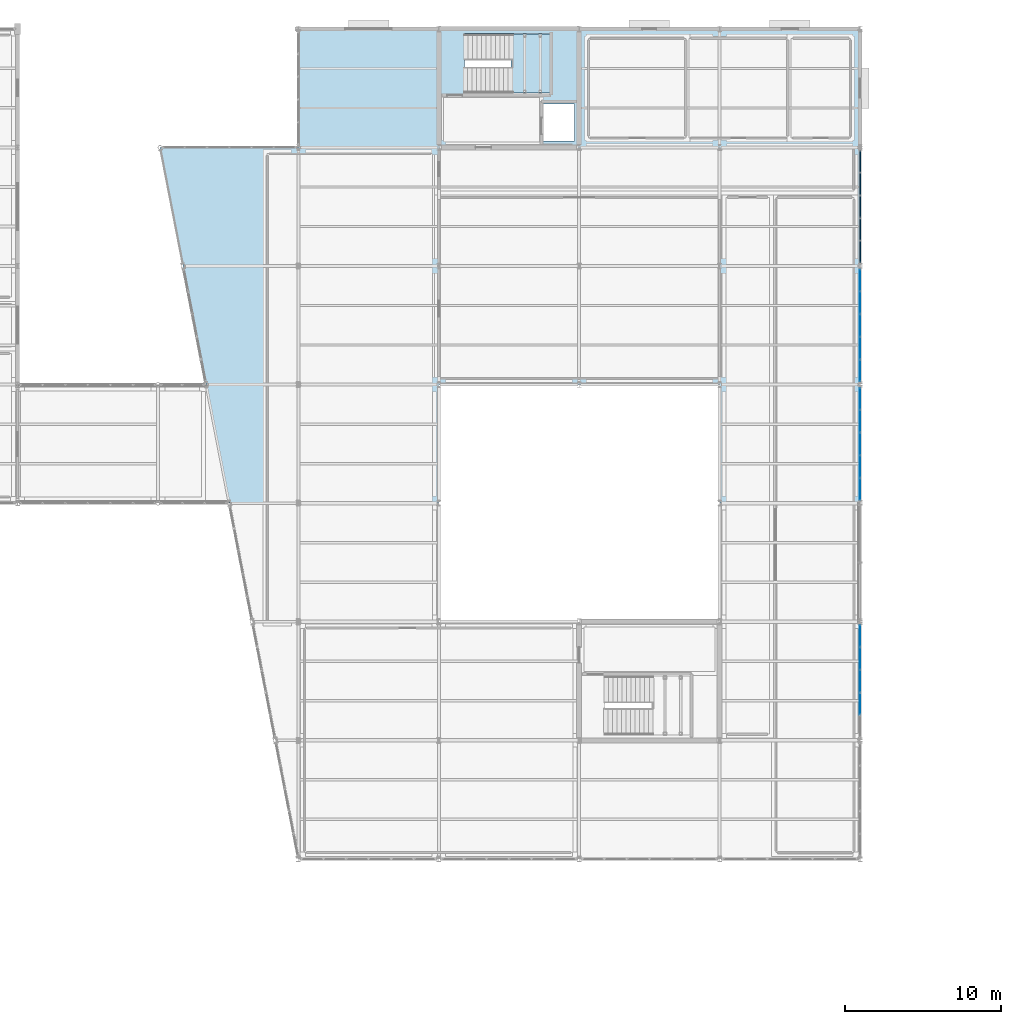
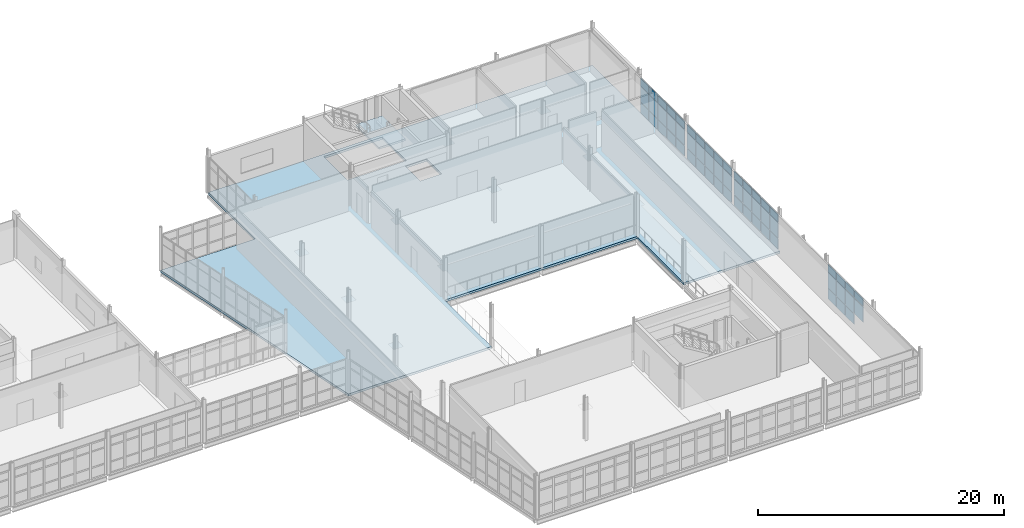
# One storey, part 144 of 174: 56 plates, 2 slabs, 5 elements without a shape of their own.
"""IFC4 building model written with IfcOpenShell, lengths in metres."""

from ifc_helpers import new_model, si_unit, direction, frame, origin, origin_2d, place, context, subcontext, project, spatial, polyline, rectangle, outline, extrude, material, layer, layer_set, type_object, element, aggregate, save


model = new_model("IFC4")

# Units and contexts
model_context = context("Model", 3, precision=1e-05, world=origin(), true_north=direction((0.0, 1.0)))
body_context = subcontext(model_context, "Body", "Model", "MODEL_VIEW")
ifc_project = project(units=[si_unit("LENGTHUNIT", "METRE"), si_unit("AREAUNIT", "SQUARE_METRE"), si_unit("VOLUMEUNIT", "CUBIC_METRE"), si_unit("PLANEANGLEUNIT", "RADIAN"), si_unit("MASSUNIT", "GRAM", prefix="KILO")], contexts=[model_context])

# Site, building, storey
site_placement = place(None, origin())
site = spatial("IfcSite", under=ifc_project, at=site_placement, CompositionType="ELEMENT")
building_placement = place(site_placement, origin())
building = spatial("IfcBuilding", under=site, at=building_placement, Name="Caisbarro Railhouse Central Library", CompositionType="ELEMENT")
storey_placement = place(building_placement, frame((0.0, 0.0, 5.0400390625)))
storey = spatial("IfcBuildingStorey", under=building, at=storey_placement, Name="L01", CompositionType="ELEMENT", Elevation=5.0400390625)

# Curtain wall, plates
ifc_material_1 = material(Name="Anodised architectural aluminium", Category="aluminium")
curtain_wall_type = type_object("IfcCurtainWallType", Name="CW-CW03", PredefinedType="NOTDEFINED", material=ifc_material_1)
curtain_wall_1_placement = place(storey_placement, origin())
curtain_wall_1 = element("IfcCurtainWall", 1, at=curtain_wall_1_placement, inside=storey, type_object=curtain_wall_type, Name="CW03 curtain wall L01 #122", PredefinedType="NOTDEFINED")
ifc_material_2 = material(Name="Double low-e laminated solar-control glass", Category="glass")
ifc_layer_1 = layer(ifc_material_2, 0.028076171875, Name="Double low-e laminated solar-control glass")
ifc_layer_set_1 = layer_set([ifc_layer_1], Name="Double low-e laminated solar-control glass")
plate_type_1 = type_object("IfcPlateType", Name="CWP-CP28", PredefinedType="CURTAIN_PANEL", material=ifc_layer_set_1)
plate_1_placement = place(storey_placement, frame((153.0, 70.743896484375, 1.152587890625), z_axis=(0.0, 0.0, 1.0), x_axis=(0.0, 1.0, 0.0)))
plate_1 = element("IfcPlate", 2, at=plate_1_placement, type_object=plate_type_1, Name="CW03 panel 2.2", PredefinedType="CURTAIN_PANEL", context=body_context, shape_type="SweptSolid", body=[
    extrude(rectangle(XDim=1.39111328125, YDim=0.028076171875, at=origin_2d()), origin(), (0.0, 0.0, 1.0), 1.52490234375),
])
plate_2_placement = place(storey_placement, frame((153.0, 70.743896484375, 2.742431640625), z_axis=(0.0, 0.0, 1.0), x_axis=(0.0, 1.0, 0.0)))
plate_2 = element("IfcPlate", 3, at=plate_2_placement, type_object=plate_type_1, Name="CW03 panel 2.3", PredefinedType="CURTAIN_PANEL", context=body_context, shape_type="SweptSolid", body=[
    extrude(rectangle(XDim=1.39111328125, YDim=0.028076171875, at=origin_2d()), origin(), (0.0, 0.0, 1.0), 0.75244140625),
])
plate_3_placement = place(storey_placement, frame((153.0, 72.199951171875, 0.06494140625), z_axis=(0.0, 0.0, 1.0), x_axis=(0.0, 1.0, 0.0)))
plate_3 = element("IfcPlate", 4, at=plate_3_placement, type_object=plate_type_1, Name="CW03 panel 3.1", PredefinedType="CURTAIN_PANEL", context=body_context, shape_type="SweptSolid", body=[
    extrude(rectangle(XDim=1.39111328125, YDim=0.028076171875, at=origin_2d()), origin(), (0.0, 0.0, 1.0), 1.0224609375),
])
plate_4_placement = place(storey_placement, frame((153.0, 72.199951171875, 1.152587890625), z_axis=(0.0, 0.0, 1.0), x_axis=(0.0, 1.0, 0.0)))
plate_4 = element("IfcPlate", 5, at=plate_4_placement, type_object=plate_type_1, Name="CW03 panel 3.2", PredefinedType="CURTAIN_PANEL", context=body_context, shape_type="SweptSolid", body=[
    extrude(rectangle(XDim=1.39111328125, YDim=0.028076171875, at=origin_2d()), origin(), (0.0, 0.0, 1.0), 1.52490234375),
])
plate_5_placement = place(storey_placement, frame((153.0, 72.199951171875, 2.742431640625), z_axis=(0.0, 0.0, 1.0), x_axis=(0.0, 1.0, 0.0)))
plate_5 = element("IfcPlate", 6, at=plate_5_placement, type_object=plate_type_1, Name="CW03 panel 3.3", PredefinedType="CURTAIN_PANEL", context=body_context, shape_type="SweptSolid", body=[
    extrude(rectangle(XDim=1.39111328125, YDim=0.028076171875, at=origin_2d()), origin(), (0.0, 0.0, 1.0), 0.75244140625),
])
plate_6_placement = place(storey_placement, frame((153.0, 73.656005859375, 0.06494140625), z_axis=(0.0, 0.0, 1.0), x_axis=(0.0, 1.0, 0.0)))
plate_6 = element("IfcPlate", 7, at=plate_6_placement, type_object=plate_type_1, Name="CW03 panel 4.1", PredefinedType="CURTAIN_PANEL", context=body_context, shape_type="SweptSolid", body=[
    extrude(rectangle(XDim=1.39111328125, YDim=0.028076171875, at=origin_2d()), origin(), (0.0, 0.0, 1.0), 1.0224609375),
])
plate_7_placement = place(storey_placement, frame((153.0, 73.656005859375, 1.152587890625), z_axis=(0.0, 0.0, 1.0), x_axis=(0.0, 1.0, 0.0)))
plate_7 = element("IfcPlate", 8, at=plate_7_placement, type_object=plate_type_1, Name="CW03 panel 4.2", PredefinedType="CURTAIN_PANEL", context=body_context, shape_type="SweptSolid", body=[
    extrude(rectangle(XDim=1.39111328125, YDim=0.028076171875, at=origin_2d()), origin(), (0.0, 0.0, 1.0), 1.52490234375),
])
plate_8_placement = place(storey_placement, frame((153.0, 73.656005859375, 2.742431640625), z_axis=(0.0, 0.0, 1.0), x_axis=(0.0, 1.0, 0.0)))
plate_8 = element("IfcPlate", 9, at=plate_8_placement, type_object=plate_type_1, Name="CW03 panel 4.3", PredefinedType="CURTAIN_PANEL", context=body_context, shape_type="SweptSolid", body=[
    extrude(rectangle(XDim=1.39111328125, YDim=0.028076171875, at=origin_2d()), origin(), (0.0, 0.0, 1.0), 0.75244140625),
])
plate_9_placement = place(storey_placement, frame((153.0, 75.095703125, 0.06494140625), z_axis=(0.0, 0.0, 1.0), x_axis=(0.0, 1.0, 0.0)))
plate_9 = element("IfcPlate", 10, at=plate_9_placement, type_object=plate_type_1, Name="CW03 panel 5.1", PredefinedType="CURTAIN_PANEL", context=body_context, shape_type="SweptSolid", body=[
    extrude(rectangle(XDim=1.3583984375, YDim=0.028076171875, at=origin_2d()), origin(), (0.0, 0.0, 1.0), 1.0224609375),
])
plate_10_placement = place(storey_placement, frame((153.0, 75.095703125, 1.152587890625), z_axis=(0.0, 0.0, 1.0), x_axis=(0.0, 1.0, 0.0)))
plate_10 = element("IfcPlate", 11, at=plate_10_placement, type_object=plate_type_1, Name="CW03 panel 5.2", PredefinedType="CURTAIN_PANEL", context=body_context, shape_type="SweptSolid", body=[
    extrude(rectangle(XDim=1.3583984375, YDim=0.028076171875, at=origin_2d()), origin(), (0.0, 0.0, 1.0), 1.52490234375),
])
plate_11_placement = place(storey_placement, frame((153.0, 75.095703125, 2.742431640625), z_axis=(0.0, 0.0, 1.0), x_axis=(0.0, 1.0, 0.0)))
plate_11 = element("IfcPlate", 12, at=plate_11_placement, type_object=plate_type_1, Name="CW03 panel 5.3", PredefinedType="CURTAIN_PANEL", context=body_context, shape_type="SweptSolid", body=[
    extrude(rectangle(XDim=1.3583984375, YDim=0.028076171875, at=origin_2d()), origin(), (0.0, 0.0, 1.0), 0.75244140625),
])
aggregate(curtain_wall_1, [plate_1, plate_2, plate_3, plate_4, plate_5, plate_6, plate_7, plate_8, plate_9, plate_10, plate_11])

curtain_wall_2_placement = place(storey_placement, origin())
curtain_wall_2 = element("IfcCurtainWall", 13, at=curtain_wall_2_placement, inside=storey, type_object=curtain_wall_type, Name="CW03 curtain wall L01 #123", PredefinedType="NOTDEFINED")
ifc_layer_2 = layer(ifc_material_2, 0.048095703125, Name="Double low-e laminated solar-control glass")
ifc_layer_set_2 = layer_set([ifc_layer_2], Name="Double low-e laminated solar-control glass")
plate_type_2 = type_object("IfcPlateType", Name="CWP-CP48", PredefinedType="CURTAIN_PANEL", material=ifc_layer_set_2)
plate_12_placement = place(storey_placement, frame((153.0, 84.504150390625, 0.06494140625), z_axis=(0.0, 0.0, 1.0), x_axis=(0.0, 1.0, 0.0)))
plate_12 = element("IfcPlate", 14, at=plate_12_placement, type_object=plate_type_2, Name="CW03 panel 1.1", PredefinedType="CURTAIN_PANEL", context=body_context, shape_type="SweptSolid", body=[
    extrude(rectangle(XDim=1.3583984375, YDim=0.048095703125, at=origin_2d()), origin(), (0.0, 0.0, 1.0), 1.0224609375),
])
plate_13_placement = place(storey_placement, frame((153.0, 84.504150390625, 1.152587890625), z_axis=(0.0, 0.0, 1.0), x_axis=(0.0, 1.0, 0.0)))
plate_13 = element("IfcPlate", 15, at=plate_13_placement, type_object=plate_type_2, Name="CW03 panel 1.2", PredefinedType="CURTAIN_PANEL", context=body_context, shape_type="SweptSolid", body=[
    extrude(rectangle(XDim=1.3583984375, YDim=0.048095703125, at=origin_2d()), origin(), (0.0, 0.0, 1.0), 1.52490234375),
])
plate_14_placement = place(storey_placement, frame((153.0, 84.504150390625, 2.742431640625), z_axis=(0.0, 0.0, 1.0), x_axis=(0.0, 1.0, 0.0)))
plate_14 = element("IfcPlate", 16, at=plate_14_placement, type_object=plate_type_2, Name="CW03 panel 1.3", PredefinedType="CURTAIN_PANEL", context=body_context, shape_type="SweptSolid", body=[
    extrude(rectangle(XDim=1.3583984375, YDim=0.048095703125, at=origin_2d()), origin(), (0.0, 0.0, 1.0), 0.75244140625),
])
plate_15_placement = place(storey_placement, frame((153.0, 85.944091796875, 0.06494140625), z_axis=(0.0, 0.0, 1.0), x_axis=(0.0, 1.0, 0.0)))
plate_15 = element("IfcPlate", 17, at=plate_15_placement, type_object=plate_type_2, Name="CW03 panel 2.1", PredefinedType="CURTAIN_PANEL", context=body_context, shape_type="SweptSolid", body=[
    extrude(rectangle(XDim=1.39111328125, YDim=0.048095703125, at=origin_2d()), origin(), (0.0, 0.0, 1.0), 1.0224609375),
])
plate_16_placement = place(storey_placement, frame((153.0, 85.944091796875, 1.152587890625), z_axis=(0.0, 0.0, 1.0), x_axis=(0.0, 1.0, 0.0)))
plate_16 = element("IfcPlate", 18, at=plate_16_placement, type_object=plate_type_2, Name="CW03 panel 2.2", PredefinedType="CURTAIN_PANEL", context=body_context, shape_type="SweptSolid", body=[
    extrude(rectangle(XDim=1.39111328125, YDim=0.048095703125, at=origin_2d()), origin(), (0.0, 0.0, 1.0), 1.52490234375),
])
plate_17_placement = place(storey_placement, frame((153.0, 85.944091796875, 2.742431640625), z_axis=(0.0, 0.0, 1.0), x_axis=(0.0, 1.0, 0.0)))
plate_17 = element("IfcPlate", 19, at=plate_17_placement, type_object=plate_type_2, Name="CW03 panel 2.3", PredefinedType="CURTAIN_PANEL", context=body_context, shape_type="SweptSolid", body=[
    extrude(rectangle(XDim=1.39111328125, YDim=0.048095703125, at=origin_2d()), origin(), (0.0, 0.0, 1.0), 0.75244140625),
])
plate_18_placement = place(storey_placement, frame((153.0, 87.39990234375, 0.06494140625), z_axis=(0.0, 0.0, 1.0), x_axis=(0.0, 1.0, 0.0)))
plate_18 = element("IfcPlate", 20, at=plate_18_placement, type_object=plate_type_2, Name="CW03 panel 3.1", PredefinedType="CURTAIN_PANEL", context=body_context, shape_type="SweptSolid", body=[
    extrude(rectangle(XDim=1.39111328125, YDim=0.048095703125, at=origin_2d()), origin(), (0.0, 0.0, 1.0), 1.0224609375),
])
plate_19_placement = place(storey_placement, frame((153.0, 87.39990234375, 1.152587890625), z_axis=(0.0, 0.0, 1.0), x_axis=(0.0, 1.0, 0.0)))
plate_19 = element("IfcPlate", 21, at=plate_19_placement, type_object=plate_type_2, Name="CW03 panel 3.2", PredefinedType="CURTAIN_PANEL", context=body_context, shape_type="SweptSolid", body=[
    extrude(rectangle(XDim=1.39111328125, YDim=0.048095703125, at=origin_2d()), origin(), (0.0, 0.0, 1.0), 1.52490234375),
])
plate_20_placement = place(storey_placement, frame((153.0, 87.39990234375, 2.742431640625), z_axis=(0.0, 0.0, 1.0), x_axis=(0.0, 1.0, 0.0)))
plate_20 = element("IfcPlate", 22, at=plate_20_placement, type_object=plate_type_2, Name="CW03 panel 3.3", PredefinedType="CURTAIN_PANEL", context=body_context, shape_type="SweptSolid", body=[
    extrude(rectangle(XDim=1.39111328125, YDim=0.048095703125, at=origin_2d()), origin(), (0.0, 0.0, 1.0), 0.75244140625),
])
plate_21_placement = place(storey_placement, frame((153.0, 88.85595703125, 0.06494140625), z_axis=(0.0, 0.0, 1.0), x_axis=(0.0, 1.0, 0.0)))
plate_21 = element("IfcPlate", 23, at=plate_21_placement, type_object=plate_type_2, Name="CW03 panel 4.1", PredefinedType="CURTAIN_PANEL", context=body_context, shape_type="SweptSolid", body=[
    extrude(rectangle(XDim=1.39111328125, YDim=0.048095703125, at=origin_2d()), origin(), (0.0, 0.0, 1.0), 1.0224609375),
])
plate_22_placement = place(storey_placement, frame((153.0, 88.85595703125, 1.152587890625), z_axis=(0.0, 0.0, 1.0), x_axis=(0.0, 1.0, 0.0)))
plate_22 = element("IfcPlate", 24, at=plate_22_placement, type_object=plate_type_2, Name="CW03 panel 4.2", PredefinedType="CURTAIN_PANEL", context=body_context, shape_type="SweptSolid", body=[
    extrude(rectangle(XDim=1.39111328125, YDim=0.048095703125, at=origin_2d()), origin(), (0.0, 0.0, 1.0), 1.52490234375),
])
plate_23_placement = place(storey_placement, frame((153.0, 88.85595703125, 2.742431640625), z_axis=(0.0, 0.0, 1.0), x_axis=(0.0, 1.0, 0.0)))
plate_23 = element("IfcPlate", 25, at=plate_23_placement, type_object=plate_type_2, Name="CW03 panel 4.3", PredefinedType="CURTAIN_PANEL", context=body_context, shape_type="SweptSolid", body=[
    extrude(rectangle(XDim=1.39111328125, YDim=0.048095703125, at=origin_2d()), origin(), (0.0, 0.0, 1.0), 0.75244140625),
])
plate_24_placement = place(storey_placement, frame((153.0, 90.295654296875, 0.06494140625), z_axis=(0.0, 0.0, 1.0), x_axis=(0.0, 1.0, 0.0)))
plate_24 = element("IfcPlate", 26, at=plate_24_placement, type_object=plate_type_2, Name="CW03 panel 5.1", PredefinedType="CURTAIN_PANEL", context=body_context, shape_type="SweptSolid", body=[
    extrude(rectangle(XDim=1.3583984375, YDim=0.048095703125, at=origin_2d()), origin(), (0.0, 0.0, 1.0), 1.0224609375),
])
plate_25_placement = place(storey_placement, frame((153.0, 90.295654296875, 1.152587890625), z_axis=(0.0, 0.0, 1.0), x_axis=(0.0, 1.0, 0.0)))
plate_25 = element("IfcPlate", 27, at=plate_25_placement, type_object=plate_type_2, Name="CW03 panel 5.2", PredefinedType="CURTAIN_PANEL", context=body_context, shape_type="SweptSolid", body=[
    extrude(rectangle(XDim=1.3583984375, YDim=0.048095703125, at=origin_2d()), origin(), (0.0, 0.0, 1.0), 1.52490234375),
])
plate_26_placement = place(storey_placement, frame((153.0, 90.295654296875, 2.742431640625), z_axis=(0.0, 0.0, 1.0), x_axis=(0.0, 1.0, 0.0)))
plate_26 = element("IfcPlate", 28, at=plate_26_placement, type_object=plate_type_2, Name="CW03 panel 5.3", PredefinedType="CURTAIN_PANEL", context=body_context, shape_type="SweptSolid", body=[
    extrude(rectangle(XDim=1.3583984375, YDim=0.048095703125, at=origin_2d()), origin(), (0.0, 0.0, 1.0), 0.75244140625),
])
aggregate(curtain_wall_2, [plate_12, plate_13, plate_14, plate_15, plate_16, plate_17, plate_18, plate_19, plate_20, plate_21, plate_22, plate_23, plate_24, plate_25, plate_26])

curtain_wall_3_placement = place(storey_placement, origin())
curtain_wall_3 = element("IfcCurtainWall", 29, at=curtain_wall_3_placement, inside=storey, type_object=curtain_wall_type, Name="CW03 curtain wall L01 #124", PredefinedType="NOTDEFINED")
ifc_layer_3 = layer(ifc_material_2, 0.05810546875, Name="Double low-e laminated solar-control glass")
ifc_layer_set_3 = layer_set([ifc_layer_3], Name="Double low-e laminated solar-control glass")
plate_type_3 = type_object("IfcPlateType", Name="CWP-CP58", PredefinedType="CURTAIN_PANEL", material=ifc_layer_set_3)
plate_27_placement = place(storey_placement, frame((153.0, 92.104248046875, 0.06494140625), z_axis=(0.0, 0.0, 1.0), x_axis=(0.0, 1.0, 0.0)))
plate_27 = element("IfcPlate", 30, at=plate_27_placement, type_object=plate_type_3, Name="CW03 panel 1.1", PredefinedType="CURTAIN_PANEL", context=body_context, shape_type="SweptSolid", body=[
    extrude(rectangle(XDim=1.3583984375, YDim=0.05810546875, at=origin_2d()), origin(), (0.0, 0.0, 1.0), 1.0224609375),
])
plate_28_placement = place(storey_placement, frame((153.0, 92.104248046875, 1.152587890625), z_axis=(0.0, 0.0, 1.0), x_axis=(0.0, 1.0, 0.0)))
plate_28 = element("IfcPlate", 31, at=plate_28_placement, type_object=plate_type_3, Name="CW03 panel 1.2", PredefinedType="CURTAIN_PANEL", context=body_context, shape_type="SweptSolid", body=[
    extrude(rectangle(XDim=1.3583984375, YDim=0.05810546875, at=origin_2d()), origin(), (0.0, 0.0, 1.0), 1.52490234375),
])
plate_29_placement = place(storey_placement, frame((153.0, 92.104248046875, 2.742431640625), z_axis=(0.0, 0.0, 1.0), x_axis=(0.0, 1.0, 0.0)))
plate_29 = element("IfcPlate", 32, at=plate_29_placement, type_object=plate_type_3, Name="CW03 panel 1.3", PredefinedType="CURTAIN_PANEL", context=body_context, shape_type="SweptSolid", body=[
    extrude(rectangle(XDim=1.3583984375, YDim=0.05810546875, at=origin_2d()), origin(), (0.0, 0.0, 1.0), 0.75244140625),
])
plate_30_placement = place(storey_placement, frame((153.0, 93.5439453125, 0.06494140625), z_axis=(0.0, 0.0, 1.0), x_axis=(0.0, 1.0, 0.0)))
plate_30 = element("IfcPlate", 33, at=plate_30_placement, type_object=plate_type_3, Name="CW03 panel 2.1", PredefinedType="CURTAIN_PANEL", context=body_context, shape_type="SweptSolid", body=[
    extrude(rectangle(XDim=1.39111328125, YDim=0.05810546875, at=origin_2d()), origin(), (0.0, 0.0, 1.0), 1.0224609375),
])
plate_31_placement = place(storey_placement, frame((153.0, 93.5439453125, 1.152587890625), z_axis=(0.0, 0.0, 1.0), x_axis=(0.0, 1.0, 0.0)))
plate_31 = element("IfcPlate", 34, at=plate_31_placement, type_object=plate_type_3, Name="CW03 panel 2.2", PredefinedType="CURTAIN_PANEL", context=body_context, shape_type="SweptSolid", body=[
    extrude(rectangle(XDim=1.39111328125, YDim=0.05810546875, at=origin_2d()), origin(), (0.0, 0.0, 1.0), 1.52490234375),
])
plate_32_placement = place(storey_placement, frame((153.0, 93.5439453125, 2.742431640625), z_axis=(0.0, 0.0, 1.0), x_axis=(0.0, 1.0, 0.0)))
plate_32 = element("IfcPlate", 35, at=plate_32_placement, type_object=plate_type_3, Name="CW03 panel 2.3", PredefinedType="CURTAIN_PANEL", context=body_context, shape_type="SweptSolid", body=[
    extrude(rectangle(XDim=1.39111328125, YDim=0.05810546875, at=origin_2d()), origin(), (0.0, 0.0, 1.0), 0.75244140625),
])
plate_33_placement = place(storey_placement, frame((153.0, 95.0, 0.06494140625), z_axis=(0.0, 0.0, 1.0), x_axis=(0.0, 1.0, 0.0)))
plate_33 = element("IfcPlate", 36, at=plate_33_placement, type_object=plate_type_3, Name="CW03 panel 3.1", PredefinedType="CURTAIN_PANEL", context=body_context, shape_type="SweptSolid", body=[
    extrude(rectangle(XDim=1.39111328125, YDim=0.05810546875, at=origin_2d()), origin(), (0.0, 0.0, 1.0), 1.0224609375),
])
plate_34_placement = place(storey_placement, frame((153.0, 95.0, 1.152587890625), z_axis=(0.0, 0.0, 1.0), x_axis=(0.0, 1.0, 0.0)))
plate_34 = element("IfcPlate", 37, at=plate_34_placement, type_object=plate_type_3, Name="CW03 panel 3.2", PredefinedType="CURTAIN_PANEL", context=body_context, shape_type="SweptSolid", body=[
    extrude(rectangle(XDim=1.39111328125, YDim=0.05810546875, at=origin_2d()), origin(), (0.0, 0.0, 1.0), 1.52490234375),
])
plate_35_placement = place(storey_placement, frame((153.0, 95.0, 2.742431640625), z_axis=(0.0, 0.0, 1.0), x_axis=(0.0, 1.0, 0.0)))
plate_35 = element("IfcPlate", 38, at=plate_35_placement, type_object=plate_type_3, Name="CW03 panel 3.3", PredefinedType="CURTAIN_PANEL", context=body_context, shape_type="SweptSolid", body=[
    extrude(rectangle(XDim=1.39111328125, YDim=0.05810546875, at=origin_2d()), origin(), (0.0, 0.0, 1.0), 0.75244140625),
])
plate_36_placement = place(storey_placement, frame((153.0, 96.4560546875, 0.06494140625), z_axis=(0.0, 0.0, 1.0), x_axis=(0.0, 1.0, 0.0)))
plate_36 = element("IfcPlate", 39, at=plate_36_placement, type_object=plate_type_3, Name="CW03 panel 4.1", PredefinedType="CURTAIN_PANEL", context=body_context, shape_type="SweptSolid", body=[
    extrude(rectangle(XDim=1.39111328125, YDim=0.05810546875, at=origin_2d()), origin(), (0.0, 0.0, 1.0), 1.0224609375),
])
plate_37_placement = place(storey_placement, frame((153.0, 96.4560546875, 1.152587890625), z_axis=(0.0, 0.0, 1.0), x_axis=(0.0, 1.0, 0.0)))
plate_37 = element("IfcPlate", 40, at=plate_37_placement, type_object=plate_type_3, Name="CW03 panel 4.2", PredefinedType="CURTAIN_PANEL", context=body_context, shape_type="SweptSolid", body=[
    extrude(rectangle(XDim=1.39111328125, YDim=0.05810546875, at=origin_2d()), origin(), (0.0, 0.0, 1.0), 1.52490234375),
])
plate_38_placement = place(storey_placement, frame((153.0, 96.4560546875, 2.742431640625), z_axis=(0.0, 0.0, 1.0), x_axis=(0.0, 1.0, 0.0)))
plate_38 = element("IfcPlate", 41, at=plate_38_placement, type_object=plate_type_3, Name="CW03 panel 4.3", PredefinedType="CURTAIN_PANEL", context=body_context, shape_type="SweptSolid", body=[
    extrude(rectangle(XDim=1.39111328125, YDim=0.05810546875, at=origin_2d()), origin(), (0.0, 0.0, 1.0), 0.75244140625),
])
plate_39_placement = place(storey_placement, frame((153.0, 97.895751953125, 0.06494140625), z_axis=(0.0, 0.0, 1.0), x_axis=(0.0, 1.0, 0.0)))
plate_39 = element("IfcPlate", 42, at=plate_39_placement, type_object=plate_type_3, Name="CW03 panel 5.1", PredefinedType="CURTAIN_PANEL", context=body_context, shape_type="SweptSolid", body=[
    extrude(rectangle(XDim=1.3583984375, YDim=0.05810546875, at=origin_2d()), origin(), (0.0, 0.0, 1.0), 1.0224609375),
])
plate_40_placement = place(storey_placement, frame((153.0, 97.895751953125, 1.152587890625), z_axis=(0.0, 0.0, 1.0), x_axis=(0.0, 1.0, 0.0)))
plate_40 = element("IfcPlate", 43, at=plate_40_placement, type_object=plate_type_3, Name="CW03 panel 5.2", PredefinedType="CURTAIN_PANEL", context=body_context, shape_type="SweptSolid", body=[
    extrude(rectangle(XDim=1.3583984375, YDim=0.05810546875, at=origin_2d()), origin(), (0.0, 0.0, 1.0), 1.52490234375),
])
plate_41_placement = place(storey_placement, frame((153.0, 97.895751953125, 2.742431640625), z_axis=(0.0, 0.0, 1.0), x_axis=(0.0, 1.0, 0.0)))
plate_41 = element("IfcPlate", 44, at=plate_41_placement, type_object=plate_type_3, Name="CW03 panel 5.3", PredefinedType="CURTAIN_PANEL", context=body_context, shape_type="SweptSolid", body=[
    extrude(rectangle(XDim=1.3583984375, YDim=0.05810546875, at=origin_2d()), origin(), (0.0, 0.0, 1.0), 0.75244140625),
])
aggregate(curtain_wall_3, [plate_27, plate_28, plate_29, plate_30, plate_31, plate_32, plate_33, plate_34, plate_35, plate_36, plate_37, plate_38, plate_39, plate_40, plate_41])

curtain_wall_4_placement = place(storey_placement, origin())
curtain_wall_4 = element("IfcCurtainWall", 45, at=curtain_wall_4_placement, inside=storey, type_object=curtain_wall_type, Name="CW03 curtain wall L01 #125", PredefinedType="NOTDEFINED")
ifc_layer_4 = layer(ifc_material_2, 0.068115234375, Name="Double low-e laminated solar-control glass")
ifc_layer_set_4 = layer_set([ifc_layer_4], Name="Double low-e laminated solar-control glass")
plate_type_4 = type_object("IfcPlateType", Name="CWP-CP68", PredefinedType="CURTAIN_PANEL", material=ifc_layer_set_4)
plate_42_placement = place(storey_placement, frame((153.0, 99.704345703125, 0.06494140625), z_axis=(0.0, 0.0, 1.0), x_axis=(0.0, 1.0, 0.0)))
plate_42 = element("IfcPlate", 46, at=plate_42_placement, type_object=plate_type_4, Name="CW03 panel 1.1", PredefinedType="CURTAIN_PANEL", context=body_context, shape_type="SweptSolid", body=[
    extrude(rectangle(XDim=1.3583984375, YDim=0.068115234375, at=origin_2d()), origin(), (0.0, 0.0, 1.0), 1.0224609375),
])
plate_43_placement = place(storey_placement, frame((153.0, 99.704345703125, 1.152587890625), z_axis=(0.0, 0.0, 1.0), x_axis=(0.0, 1.0, 0.0)))
plate_43 = element("IfcPlate", 47, at=plate_43_placement, type_object=plate_type_4, Name="CW03 panel 1.2", PredefinedType="CURTAIN_PANEL", context=body_context, shape_type="SweptSolid", body=[
    extrude(rectangle(XDim=1.3583984375, YDim=0.068115234375, at=origin_2d()), origin(), (0.0, 0.0, 1.0), 1.52490234375),
])
plate_44_placement = place(storey_placement, frame((153.0, 99.704345703125, 2.742431640625), z_axis=(0.0, 0.0, 1.0), x_axis=(0.0, 1.0, 0.0)))
plate_44 = element("IfcPlate", 48, at=plate_44_placement, type_object=plate_type_4, Name="CW03 panel 1.3", PredefinedType="CURTAIN_PANEL", context=body_context, shape_type="SweptSolid", body=[
    extrude(rectangle(XDim=1.3583984375, YDim=0.068115234375, at=origin_2d()), origin(), (0.0, 0.0, 1.0), 0.75244140625),
])
plate_45_placement = place(storey_placement, frame((153.0, 101.14404296875, 0.06494140625), z_axis=(0.0, 0.0, 1.0), x_axis=(0.0, 1.0, 0.0)))
plate_45 = element("IfcPlate", 49, at=plate_45_placement, type_object=plate_type_4, Name="CW03 panel 2.1", PredefinedType="CURTAIN_PANEL", context=body_context, shape_type="SweptSolid", body=[
    extrude(rectangle(XDim=1.39111328125, YDim=0.068115234375, at=origin_2d()), origin(), (0.0, 0.0, 1.0), 1.0224609375),
])
plate_46_placement = place(storey_placement, frame((153.0, 101.14404296875, 1.152587890625), z_axis=(0.0, 0.0, 1.0), x_axis=(0.0, 1.0, 0.0)))
plate_46 = element("IfcPlate", 50, at=plate_46_placement, type_object=plate_type_4, Name="CW03 panel 2.2", PredefinedType="CURTAIN_PANEL", context=body_context, shape_type="SweptSolid", body=[
    extrude(rectangle(XDim=1.39111328125, YDim=0.068115234375, at=origin_2d()), origin(), (0.0, 0.0, 1.0), 1.52490234375),
])
plate_47_placement = place(storey_placement, frame((153.0, 101.14404296875, 2.742431640625), z_axis=(0.0, 0.0, 1.0), x_axis=(0.0, 1.0, 0.0)))
plate_47 = element("IfcPlate", 51, at=plate_47_placement, type_object=plate_type_4, Name="CW03 panel 2.3", PredefinedType="CURTAIN_PANEL", context=body_context, shape_type="SweptSolid", body=[
    extrude(rectangle(XDim=1.39111328125, YDim=0.068115234375, at=origin_2d()), origin(), (0.0, 0.0, 1.0), 0.75244140625),
])
plate_48_placement = place(storey_placement, frame((153.0, 102.60009765625, 0.06494140625), z_axis=(0.0, 0.0, 1.0), x_axis=(0.0, 1.0, 0.0)))
plate_48 = element("IfcPlate", 52, at=plate_48_placement, type_object=plate_type_4, Name="CW03 panel 3.1", PredefinedType="CURTAIN_PANEL", context=body_context, shape_type="SweptSolid", body=[
    extrude(rectangle(XDim=1.39111328125, YDim=0.068115234375, at=origin_2d()), origin(), (0.0, 0.0, 1.0), 1.0224609375),
])
plate_49_placement = place(storey_placement, frame((153.0, 102.60009765625, 1.152587890625), z_axis=(0.0, 0.0, 1.0), x_axis=(0.0, 1.0, 0.0)))
plate_49 = element("IfcPlate", 53, at=plate_49_placement, type_object=plate_type_4, Name="CW03 panel 3.2", PredefinedType="CURTAIN_PANEL", context=body_context, shape_type="SweptSolid", body=[
    extrude(rectangle(XDim=1.39111328125, YDim=0.068115234375, at=origin_2d()), origin(), (0.0, 0.0, 1.0), 1.52490234375),
])
plate_50_placement = place(storey_placement, frame((153.0, 102.60009765625, 2.742431640625), z_axis=(0.0, 0.0, 1.0), x_axis=(0.0, 1.0, 0.0)))
plate_50 = element("IfcPlate", 54, at=plate_50_placement, type_object=plate_type_4, Name="CW03 panel 3.3", PredefinedType="CURTAIN_PANEL", context=body_context, shape_type="SweptSolid", body=[
    extrude(rectangle(XDim=1.39111328125, YDim=0.068115234375, at=origin_2d()), origin(), (0.0, 0.0, 1.0), 0.75244140625),
])
plate_51_placement = place(storey_placement, frame((153.0, 104.055908203125, 0.06494140625), z_axis=(0.0, 0.0, 1.0), x_axis=(0.0, 1.0, 0.0)))
plate_51 = element("IfcPlate", 55, at=plate_51_placement, type_object=plate_type_4, Name="CW03 panel 4.1", PredefinedType="CURTAIN_PANEL", context=body_context, shape_type="SweptSolid", body=[
    extrude(rectangle(XDim=1.39111328125, YDim=0.068115234375, at=origin_2d()), origin(), (0.0, 0.0, 1.0), 1.0224609375),
])
plate_52_placement = place(storey_placement, frame((153.0, 104.055908203125, 1.152587890625), z_axis=(0.0, 0.0, 1.0), x_axis=(0.0, 1.0, 0.0)))
plate_52 = element("IfcPlate", 56, at=plate_52_placement, type_object=plate_type_4, Name="CW03 panel 4.2", PredefinedType="CURTAIN_PANEL", context=body_context, shape_type="SweptSolid", body=[
    extrude(rectangle(XDim=1.39111328125, YDim=0.068115234375, at=origin_2d()), origin(), (0.0, 0.0, 1.0), 1.52490234375),
])
plate_53_placement = place(storey_placement, frame((153.0, 104.055908203125, 2.742431640625), z_axis=(0.0, 0.0, 1.0), x_axis=(0.0, 1.0, 0.0)))
plate_53 = element("IfcPlate", 57, at=plate_53_placement, type_object=plate_type_4, Name="CW03 panel 4.3", PredefinedType="CURTAIN_PANEL", context=body_context, shape_type="SweptSolid", body=[
    extrude(rectangle(XDim=1.39111328125, YDim=0.068115234375, at=origin_2d()), origin(), (0.0, 0.0, 1.0), 0.75244140625),
])
plate_54_placement = place(storey_placement, frame((153.0, 105.495849609375, 0.06494140625), z_axis=(0.0, 0.0, 1.0), x_axis=(0.0, 1.0, 0.0)))
plate_54 = element("IfcPlate", 58, at=plate_54_placement, type_object=plate_type_4, Name="CW03 panel 5.1", PredefinedType="CURTAIN_PANEL", context=body_context, shape_type="SweptSolid", body=[
    extrude(rectangle(XDim=1.3583984375, YDim=0.068115234375, at=origin_2d()), origin(), (0.0, 0.0, 1.0), 1.0224609375),
])
plate_55_placement = place(storey_placement, frame((153.0, 105.495849609375, 1.152587890625), z_axis=(0.0, 0.0, 1.0), x_axis=(0.0, 1.0, 0.0)))
plate_55 = element("IfcPlate", 59, at=plate_55_placement, type_object=plate_type_4, Name="CW03 panel 5.2", PredefinedType="CURTAIN_PANEL", context=body_context, shape_type="SweptSolid", body=[
    extrude(rectangle(XDim=1.3583984375, YDim=0.068115234375, at=origin_2d()), origin(), (0.0, 0.0, 1.0), 1.52490234375),
])
plate_56_placement = place(storey_placement, frame((153.0, 105.495849609375, 2.742431640625), z_axis=(0.0, 0.0, 1.0), x_axis=(0.0, 1.0, 0.0)))
plate_56 = element("IfcPlate", 60, at=plate_56_placement, type_object=plate_type_4, Name="CW03 panel 5.3", PredefinedType="CURTAIN_PANEL", context=body_context, shape_type="SweptSolid", body=[
    extrude(rectangle(XDim=1.3583984375, YDim=0.068115234375, at=origin_2d()), origin(), (0.0, 0.0, 1.0), 0.75244140625),
])
aggregate(curtain_wall_4, [plate_42, plate_43, plate_44, plate_45, plate_46, plate_47, plate_48, plate_49, plate_50, plate_51, plate_52, plate_53, plate_54, plate_55, plate_56])

# Slab
ifc_material_3 = material(Name="Concrete C35", Category="concrete")
ifc_layer_5 = layer(ifc_material_3, 0.219970703125, Name="Concrete C35")
ifc_layer_set_5 = layer_set([ifc_layer_5], Name="Concrete C35")
slab_type_1 = type_object("IfcSlabType", Name="SLB-FL22", PredefinedType="FLOOR", material=ifc_layer_set_5)
slab_1_placement = place(storey_placement, frame((0.0, 0.0, -0.219970703125)))
element("IfcSlab", 61, at=slab_1_placement, inside=storey, type_object=slab_type_1, Name="SF22 structural slab L01 V4.2", PredefinedType="FLOOR", context=body_context, shape_type="SweptSolid", body=[
    extrude(outline(polyline([(112.568115234375, 83.60009765625), (126.0, 83.60009765625), (126.0, 91.199951171875), (144.0, 91.199951171875), (144.0, 83.60009765625), (153.0, 83.60009765625), (153.0, 114.0), (117.0, 114.0), (117.0, 106.39990234375), (108.135986328125, 106.39990234375), (112.568115234375, 83.60009765625)]), holes=[polyline([(127.64990234375, 109.85009765625), (133.14990234375, 109.85009765625), (133.14990234375, 113.699951171875), (127.64990234375, 113.699951171875), (127.64990234375, 109.85009765625)]), polyline([(132.699951171875, 106.800048828125), (134.699951171875, 106.800048828125), (134.699951171875, 109.199951171875), (132.699951171875, 109.199951171875), (132.699951171875, 106.800048828125)])]), origin(), (0.0, 0.0, 1.0), 0.219970703125),
])

# Stair, slab
stair_type = type_object("IfcStairType", Name="STR-ST43A", PredefinedType="HALF_TURN_STAIR", material=ifc_material_3)
stair_placement = place(storey_placement, origin())
stair = element("IfcStair", 62, at=stair_placement, inside=storey, type_object=stair_type, Name="Protected Stair ST-03 (L01)", PredefinedType="HALF_TURN_STAIR")
ifc_layer_6 = layer(ifc_material_3, 0.18994140625, Name="Concrete C35")
ifc_layer_set_6 = layer_set([ifc_layer_6], Name="Concrete C35")
slab_type_2 = type_object("IfcSlabType", Name="SLB-LND19", PredefinedType="LANDING", material=ifc_layer_set_6)
slab_2_placement = place(storey_placement, frame((0.0, 0.0, 1.969970703125)))
slab_2 = element("IfcSlab", 63, at=slab_2_placement, type_object=slab_type_2, Name="ST-03 landing 1", PredefinedType="LANDING", context=body_context, shape_type="SweptSolid", body=[
    extrude(outline(polyline([(130.6201171875, 109.889892578125), (133.1201171875, 109.889892578125), (133.1201171875, 113.659912109375), (130.6201171875, 113.659912109375), (130.6201171875, 109.889892578125)])), origin(), (0.0, 0.0, 1.0), 0.18994140625),
])
aggregate(stair, [slab_2])

save(model, "model.ifc")
